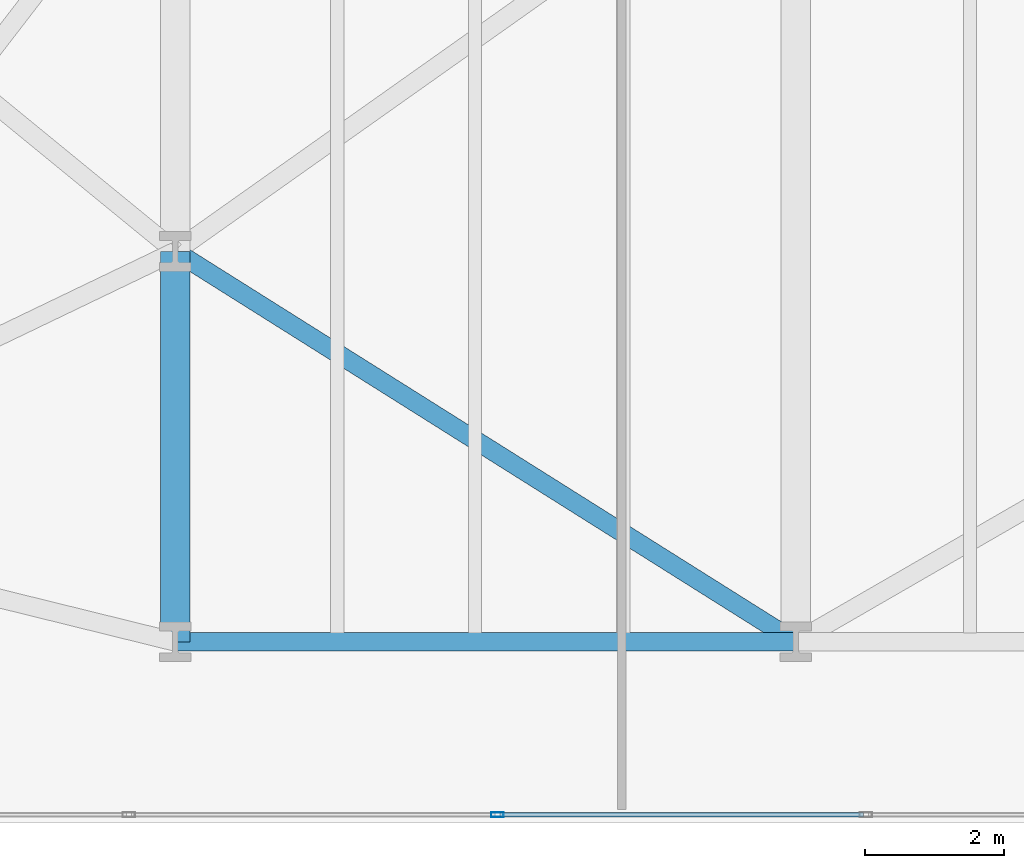
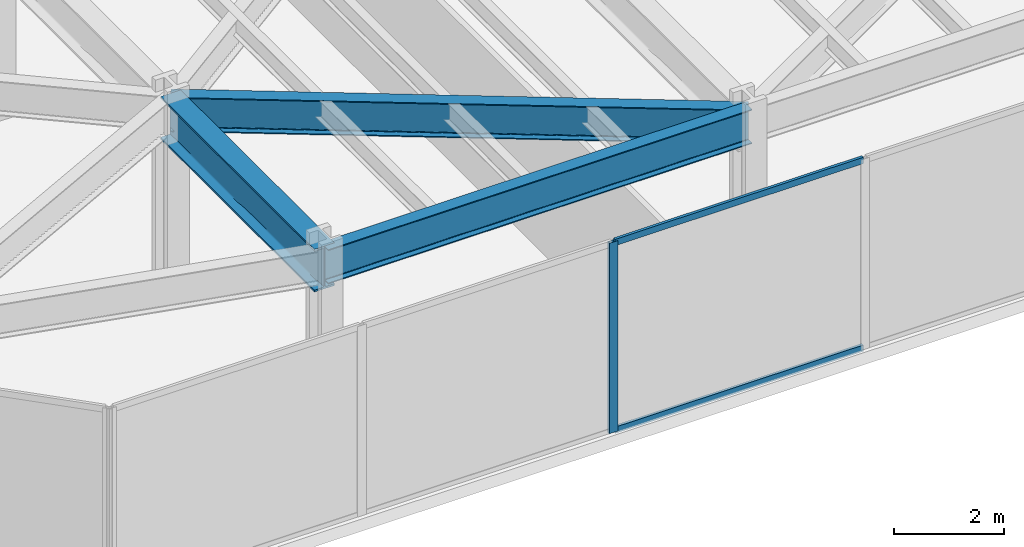
# One storey, part 3 of 28: 3 beams, 3 members, 1 element without a shape of its own.
"""IFC4 building model written with IfcOpenShell, lengths in metres."""

from ifc_helpers import new_model, si_unit, direction, frame, origin, origin_2d, place, context, subcontext, project, spatial, hollow_rectangle, i_section, extrude, material, layer, layer_set, material_profile, profile_set, type_object, element, aggregate, save


model = new_model("IFC4")

# Units and contexts
model_context = context("Model", 3, precision=1e-05, world=origin(), true_north=direction((0.0, 1.0)))
body_context = subcontext(model_context, "Body", "Model", "MODEL_VIEW")
ifc_project = project(units=[si_unit("LENGTHUNIT", "METRE"), si_unit("AREAUNIT", "SQUARE_METRE"), si_unit("VOLUMEUNIT", "CUBIC_METRE"), si_unit("PLANEANGLEUNIT", "RADIAN"), si_unit("MASSUNIT", "GRAM", prefix="KILO")], contexts=[model_context])

# Site, building, storey
site_placement = place(None, origin())
site = spatial("IfcSite", under=ifc_project, at=site_placement, CompositionType="ELEMENT")
building_placement = place(site_placement, origin())
building = spatial("IfcBuilding", under=site, at=building_placement, Name="Kravanh Interchange Tower", CompositionType="ELEMENT")
storey_placement = place(building_placement, frame((0.0, 0.0, 10.800048828125)))
storey = spatial("IfcBuildingStorey", under=building, at=storey_placement, Name="L02", CompositionType="ELEMENT", Elevation=10.800048828125)

# Curtain wall, members
ifc_material_1 = material(Name="Anodised Bronze Aluminium", Category="aluminium")
ifc_layer = layer(ifc_material_1, 0.179931640625)
ifc_layer_set = layer_set([ifc_layer], Name="Unitised Curtain Wall System CW-POD Podium Concourse")
curtain_wall_type = type_object("IfcCurtainWallType", Name="Unitised Curtain Wall System CW-POD Podium Concourse", PredefinedType="NOTDEFINED", material=ifc_layer_set)
curtain_wall_placement = place(storey_placement, origin())
curtain_wall = element("IfcCurtainWall", 1, at=curtain_wall_placement, inside=storey, type_object=curtain_wall_type, Name="L02 Unitised Curtain Wall CW-L02-04", PredefinedType="NOTDEFINED")
ifc_material_2 = material(Name="Anodised Bronze Aluminium", Category="aluminium")
ifc_material_profile_1 = material_profile(ifc_material_2, hollow_rectangle(XDim=0.070068359375, YDim=0.179931640625, WallThickness=0.00390625, at=origin_2d()), Name="ALU70X180X4")
ifc_profile_set_1 = profile_set([ifc_material_profile_1], Name="Anodised Bronze Aluminium")
member_type_1 = type_object("IfcMemberType", Name="Curtain Wall Mullion ALU70X180X4 Bronze", PredefinedType="MULLION", material=ifc_profile_set_1)
member_1_placement = place(storey_placement, frame((13.218994140625, 0.1201171875, 0.0), z_axis=(0.0, 0.0, 1.0), x_axis=(0.0, -1.0, 0.0)))
member_1 = element("IfcMember", 2, at=member_1_placement, type_object=member_type_1, Name="CW-POD mullion 12", PredefinedType="MULLION", context=body_context, shape_type="SweptSolid", body=[
    extrude(hollow_rectangle(XDim=0.070068359375, YDim=0.179931640625, WallThickness=0.00390625, at=origin_2d()), origin(), (0.0, 0.0, 1.0), 4.22998046875),
])
ifc_material_3 = material(Name="Anodised Bronze Aluminium", Category="aluminium")
ifc_material_profile_2 = material_profile(ifc_material_3, hollow_rectangle(XDim=0.06005859375, YDim=0.139892578125, WallThickness=0.00390625, at=origin_2d()), Name="ALU60X140X4")
ifc_profile_set_2 = profile_set([ifc_material_profile_2], Name="Anodised Bronze Aluminium")
member_type_2 = type_object("IfcMemberType", Name="Curtain Wall Transom ALU60X140X4 Bronze", PredefinedType="USERDEFINED", material=ifc_profile_set_2)
member_2_placement = place(storey_placement, frame((18.46875, 0.1201171875, 0.030029296875), z_axis=(-1.0, 0.0, 0.0), x_axis=(0.0, -1.0, 0.0)))
member_2 = element("IfcMember", 3, at=member_2_placement, type_object=member_type_2, Name="CW-POD transom 11.1", ObjectType="TRANSOM", PredefinedType="USERDEFINED", context=body_context, shape_type="SweptSolid", body=[
    extrude(hollow_rectangle(XDim=0.06005859375, YDim=0.139892578125, WallThickness=0.00390625, at=origin_2d()), origin(), (0.0, 0.0, 1.0), 5.21484375),
])
member_3_placement = place(storey_placement, frame((18.46875, 0.1201171875, 4.199951171875), z_axis=(-1.0, 0.0, 0.0), x_axis=(0.0, -1.0, 0.0)))
member_3 = element("IfcMember", 4, at=member_3_placement, type_object=member_type_2, Name="CW-POD transom 11.2", ObjectType="TRANSOM", PredefinedType="USERDEFINED", context=body_context, shape_type="SweptSolid", body=[
    extrude(hollow_rectangle(XDim=0.06005859375, YDim=0.139892578125, WallThickness=0.00390625, at=origin_2d()), origin(), (0.0, 0.0, 1.0), 5.21484375),
])
aggregate(curtain_wall, [member_1, member_2, member_3])

# Beams
ifc_material_4 = material(Name="Structural Steel S450", Category="steel")
ifc_material_profile_3 = material_profile(ifc_material_4, i_section(OverallWidth=0.423095703125, OverallDepth=0.947998046875, WebThickness=0.02392578125, FlangeThickness=0.042724609375, FilletRadius=0.028076171875, at=origin_2d()), Name="W36X302")
ifc_profile_set_3 = profile_set([ifc_material_profile_3], Name="Structural Steel S450")
beam_type_1 = type_object("IfcBeamType", Name="Floor Beam W36X302 Structural Steel S450", PredefinedType="BEAM", material=ifc_profile_set_3)
beam_1_placement = place(storey_placement, frame((8.60009765625, 2.60009765625, 3.755859375), z_axis=(0.0, 1.0, 0.0), x_axis=(-1.0, 0.0, 0.0)))
element("IfcBeam", 5, at=beam_1_placement, inside=storey, type_object=beam_type_1, Name="L02 Primary Floor Girder 1", PredefinedType="BEAM", context=body_context, shape_type="SweptSolid", body=[
    extrude(i_section(OverallWidth=0.423095703125, OverallDepth=0.947998046875, WebThickness=0.02392578125, FlangeThickness=0.042724609375, FilletRadius=0.028076171875, at=origin_2d()), origin(), (0.0, 0.0, 1.0), 5.599853515625),
])
ifc_material_5 = material(Name="Structural Steel S355", Category="steel")
ifc_material_profile_4 = material_profile(ifc_material_5, i_section(OverallWidth=0.26708984375, OverallDepth=0.761962890625, WebThickness=0.014404296875, FlangeThickness=0.021484375, FilletRadius=0.02490234375, at=origin_2d()), Name="W30X116")
ifc_profile_set_4 = profile_set([ifc_material_profile_4], Name="Structural Steel S355")
beam_type_2 = type_object("IfcBeamType", Name="Floor Spandrel W30X116 Structural Steel S355", PredefinedType="SPANDREL", material=ifc_profile_set_4)
beam_2_placement = place(storey_placement, frame((8.60009765625, 2.60009765625, 3.848876953125), z_axis=(1.0, 0.0, 0.0), x_axis=(0.0, 1.0, 0.0)))
element("IfcBeam", 6, at=beam_2_placement, inside=storey, type_object=beam_type_2, Name="L02 Perimeter Spandrel 3", PredefinedType="SPANDREL", context=body_context, shape_type="SweptSolid", body=[
    extrude(i_section(OverallWidth=0.26708984375, OverallDepth=0.761962890625, WebThickness=0.014404296875, FlangeThickness=0.021484375, FilletRadius=0.02490234375, at=origin_2d()), origin(), (0.0, 0.0, 1.0), 8.89990234375),
])
beam_3_placement = place(storey_placement, frame((17.5, 2.60009765625, 3.848876953125), z_axis=(-0.846395259538, 0.532555222143, 0.0), x_axis=(-0.532555222143, -0.846395259538, 0.0)))
element("IfcBeam", 7, at=beam_3_placement, inside=storey, type_object=beam_type_2, Name="L02 Perimeter Spandrel 5", PredefinedType="SPANDREL", context=body_context, shape_type="SweptSolid", body=[
    extrude(i_section(OverallWidth=0.26708984375, OverallDepth=0.761962890625, WebThickness=0.014404296875, FlangeThickness=0.021484375, FilletRadius=0.02490234375, at=origin_2d()), origin(), (0.0, 0.0, 1.0), 10.51513671875),
])

save(model, "model.ifc")
